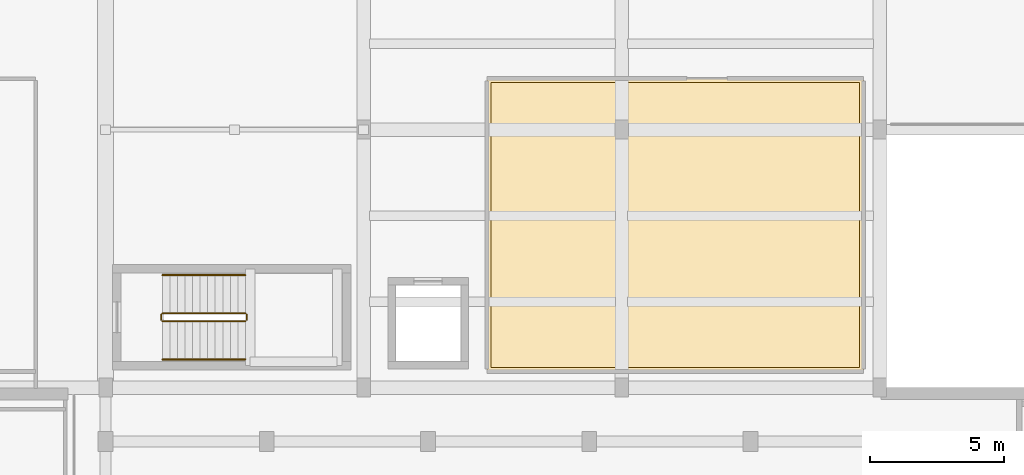
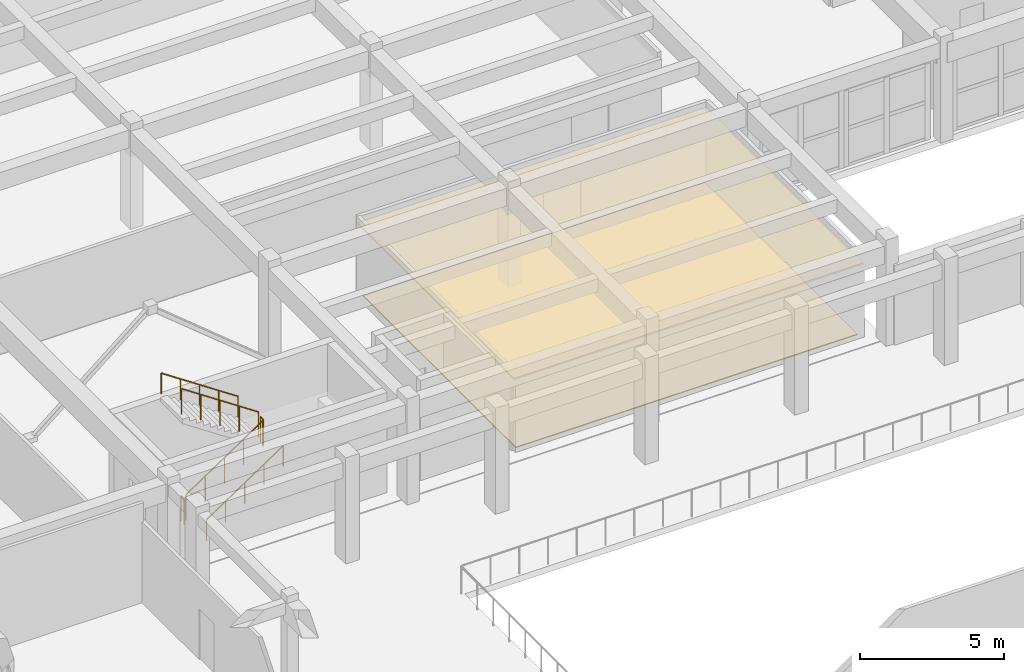
# One storey, part 80 of 92: 6 railings, 2 coverings.
"""IFC4 building model written with IfcOpenShell, lengths in metres."""

from ifc_helpers import new_model, si_unit, direction, frame, origin, origin_2d, place, context, subcontext, project, spatial, polyline, circle, outline, extrude, material, layer, layer_set, type_object, element, save


model = new_model("IFC4")

# Units and contexts
model_context = context("Model", 3, precision=1e-05, world=origin(), true_north=direction((0.0, 1.0)))
body_context = subcontext(model_context, "Body", "Model", "MODEL_VIEW")
ifc_project = project(units=[si_unit("LENGTHUNIT", "METRE"), si_unit("AREAUNIT", "SQUARE_METRE"), si_unit("VOLUMEUNIT", "CUBIC_METRE"), si_unit("PLANEANGLEUNIT", "RADIAN"), si_unit("MASSUNIT", "GRAM", prefix="KILO")], contexts=[model_context])

# Site, building, storey
site_placement = place(None, origin())
site = spatial("IfcSite", under=ifc_project, at=site_placement, CompositionType="ELEMENT")
building_placement = place(site_placement, origin())
building = spatial("IfcBuilding", under=site, at=building_placement, Name="Tarnavel Promenade Courthouse", CompositionType="ELEMENT")
storey_placement = place(building_placement, frame((0.0, 0.0, 5.39990234375)))
storey = spatial("IfcBuildingStorey", under=building, at=storey_placement, Name="L02", CompositionType="ELEMENT", Elevation=5.39990234375)

# Railings
ifc_material_1 = material(Name="Brushed Bronze Tubular Stair Handrail")
railing_type_1 = type_object("IfcRailingType", Name="Brushed Bronze Tubular Stair Handrail (RL-HND-0900)", PredefinedType="HANDRAIL", material=ifc_material_1)
railing_1_placement = place(storey_placement, frame((11.719970703125, 38.25, 0.1875)))
element("IfcRailing", 1, at=railing_1_placement, inside=storey, type_object=railing_type_1, Name="L02 ST-05 stair handrail 1", PredefinedType="HANDRAIL", context=body_context, shape_type="SweptSolid", body=[
    extrude(circle(Radius=0.02392578125, at=origin_2d()), frame((0.0, 0.0, 0.8759765625), z_axis=(0.830913701846, 0.0, 0.55640131208), x_axis=(0.0, 1.0, 0.0)), (0.0, 0.0, 1.0), 3.706787109375),
    extrude(circle(Radius=0.02099609375, at=origin_2d()), origin(), (0.0, 0.0, 1.0), 0.851806640625),
    extrude(circle(Radius=0.02099609375, at=origin_2d()), frame((0.77001953125, 0.0, 0.515625)), (0.0, 0.0, 1.0), 0.851806640625),
    extrude(circle(Radius=0.02099609375, at=origin_2d()), frame((1.5400390625, 0.0, 1.03125)), (0.0, 0.0, 1.0), 0.851806640625),
    extrude(circle(Radius=0.02099609375, at=origin_2d()), frame((2.31005859375, 0.0, 1.546875)), (0.0, 0.0, 1.0), 0.851806640625),
    extrude(circle(Radius=0.02099609375, at=origin_2d()), frame((3.080078125, 0.0, 2.0625)), (0.0, 0.0, 1.0), 0.851806640625),
])
railing_2_placement = place(storey_placement, frame((14.800048828125, 41.389892578125, 2.4375)))
element("IfcRailing", 2, at=railing_2_placement, inside=storey, type_object=railing_type_1, Name="L02 ST-05 stair handrail 2", PredefinedType="HANDRAIL", context=body_context, shape_type="SweptSolid", body=[
    extrude(circle(Radius=0.02392578125, at=origin_2d()), frame((0.0, 0.0, 0.8759765625), z_axis=(-0.830913701846, 0.0, 0.55640131208), x_axis=(0.0, -1.0, 0.0)), (0.0, 0.0, 1.0), 3.706787109375),
    extrude(circle(Radius=0.02099609375, at=origin_2d()), origin(), (0.0, 0.0, 1.0), 0.851806640625),
    extrude(circle(Radius=0.02099609375, at=origin_2d()), frame((-0.77001953125, 0.0, 0.515625)), (0.0, 0.0, 1.0), 0.851806640625),
    extrude(circle(Radius=0.02099609375, at=origin_2d()), frame((-1.5400390625, 0.0, 1.03125)), (0.0, 0.0, 1.0), 0.851806640625),
    extrude(circle(Radius=0.02099609375, at=origin_2d()), frame((-2.31005859375, 0.0, 1.546875)), (0.0, 0.0, 1.0), 0.851806640625),
    extrude(circle(Radius=0.02099609375, at=origin_2d()), frame((-3.080078125, 0.0, 2.0625)), (0.0, 0.0, 1.0), 0.851806640625),
])

# Covering
ifc_material_2 = material(Name="Honed Khoriatis Marble and Terrazzo Civic Flooring", Category="masonry")
ifc_layer_1 = layer(ifc_material_2, 0.0400390625)
ifc_layer_set_1 = layer_set([ifc_layer_1], Name="Honed Khoriatis Marble and Terrazzo Civic Flooring")
covering_type_1 = type_object("IfcCoveringType", Name="Honed Khoriatis Marble and Terrazzo Civic Flooring (COV-FLR-TRZ-40)", PredefinedType="FLOORING", material=ifc_layer_set_1)
covering_1_placement = place(storey_placement, origin())
element("IfcCovering", 3, at=covering_1_placement, inside=storey, type_object=covering_type_1, Name="L02 Law Library Book Stacks Statutes Collection Architectural Flooring 0013", PredefinedType="FLOORING", context=body_context, shape_type="SweptSolid", body=[
    extrude(outline(polyline([(23.949951171875, 37.949951171875), (37.64990234375, 37.949951171875), (37.64990234375, 48.550048828125), (23.949951171875, 48.550048828125), (23.949951171875, 37.949951171875)])), origin(), (0.0, 0.0, 1.0), 0.0400390625),
])

# Railings
ifc_material_3 = material(Name="Painted Architectural Steel Core Stair Guardrail", Category="steel")
railing_type_2 = type_object("IfcRailingType", Name="Painted Architectural Steel Core Stair Guardrail (RL-GRD-1100)", PredefinedType="GUARDRAIL", material=ifc_material_3)
railing_3_placement = place(storey_placement, frame((11.719970703125, 39.669921875, 0.1875)))
element("IfcRailing", 4, at=railing_3_placement, inside=storey, type_object=railing_type_2, Name="L02 ST-05 stair guard 1", PredefinedType="GUARDRAIL", context=body_context, shape_type="SweptSolid", body=[
    extrude(circle(Radius=0.02392578125, at=origin_2d()), frame((0.0, 0.0, 1.076171875), z_axis=(0.830913701846, 0.0, 0.55640131208), x_axis=(0.0, 1.0, 0.0)), (0.0, 0.0, 1.0), 3.706787109375),
    extrude(circle(Radius=0.02099609375, at=origin_2d()), origin(), (0.0, 0.0, 1.0), 1.052001953125),
    extrude(circle(Radius=0.02099609375, at=origin_2d()), frame((0.77001953125, 0.0, 0.515625)), (0.0, 0.0, 1.0), 1.052001953125),
    extrude(circle(Radius=0.02099609375, at=origin_2d()), frame((1.5400390625, 0.0, 1.03125)), (0.0, 0.0, 1.0), 1.052001953125),
    extrude(circle(Radius=0.02099609375, at=origin_2d()), frame((2.31005859375, 0.0, 1.546875)), (0.0, 0.0, 1.0), 1.052001953125),
    extrude(circle(Radius=0.02099609375, at=origin_2d()), frame((3.080078125, 0.0, 2.0625)), (0.0, 0.0, 1.0), 1.052001953125),
])
railing_4_placement = place(storey_placement, frame((14.85009765625, 39.719970703125, 2.25)))
element("IfcRailing", 5, at=railing_4_placement, inside=storey, type_object=railing_type_2, Name="L02 ST-05 stair guard 2", PredefinedType="GUARDRAIL", context=body_context, shape_type="SweptSolid", body=[
    extrude(circle(Radius=0.02392578125, at=origin_2d()), frame((0.0, 0.0, 1.076171875), z_axis=(0.0, 1.0, 0.0), x_axis=(-1.0, 0.0, 0.0)), (0.0, 0.0, 1.0), 0.199951171875),
    extrude(circle(Radius=0.02099609375, at=origin_2d()), origin(), (0.0, 0.0, 1.0), 1.052001953125),
    extrude(circle(Radius=0.02099609375, at=origin_2d()), frame((0.0, 0.199951171875, 0.0)), (0.0, 0.0, 1.0), 1.052001953125),
])
railing_5_placement = place(storey_placement, frame((14.800048828125, 39.969970703125, 2.4375)))
element("IfcRailing", 6, at=railing_5_placement, inside=storey, type_object=railing_type_2, Name="L02 ST-05 stair guard 3", PredefinedType="GUARDRAIL", context=body_context, shape_type="SweptSolid", body=[
    extrude(circle(Radius=0.02392578125, at=origin_2d()), frame((0.0, 0.0, 1.076171875), z_axis=(-0.830913701846, 0.0, 0.55640131208), x_axis=(0.0, -1.0, 0.0)), (0.0, 0.0, 1.0), 3.706787109375),
    extrude(circle(Radius=0.02099609375, at=origin_2d()), origin(), (0.0, 0.0, 1.0), 1.052001953125),
    extrude(circle(Radius=0.02099609375, at=origin_2d()), frame((-0.77001953125, 0.0, 0.515625)), (0.0, 0.0, 1.0), 1.052001953125),
    extrude(circle(Radius=0.02099609375, at=origin_2d()), frame((-1.5400390625, 0.0, 1.03125)), (0.0, 0.0, 1.0), 1.052001953125),
    extrude(circle(Radius=0.02099609375, at=origin_2d()), frame((-2.31005859375, 0.0, 1.546875)), (0.0, 0.0, 1.0), 1.052001953125),
    extrude(circle(Radius=0.02099609375, at=origin_2d()), frame((-3.080078125, 0.0, 2.0625)), (0.0, 0.0, 1.0), 1.052001953125),
])
railing_6_placement = place(storey_placement, frame((11.669921875, 39.719970703125, 0.0)))
element("IfcRailing", 7, at=railing_6_placement, inside=storey, type_object=railing_type_2, Name="L02 ST-05 stair guard 4", PredefinedType="GUARDRAIL", context=body_context, shape_type="SweptSolid", body=[
    extrude(circle(Radius=0.02392578125, at=origin_2d()), frame((0.0, 0.0, 1.076171875), z_axis=(0.0, 1.0, 0.0), x_axis=(-1.0, 0.0, 0.0)), (0.0, 0.0, 1.0), 0.199951171875),
    extrude(circle(Radius=0.02099609375, at=origin_2d()), origin(), (0.0, 0.0, 1.0), 1.052001953125),
    extrude(circle(Radius=0.02099609375, at=origin_2d()), frame((0.0, 0.199951171875, 0.0)), (0.0, 0.0, 1.0), 1.052001953125),
])

# Covering
ifc_material_4 = material(Name="Slatted Acoustic White Oak Baffle Ceiling")
ifc_layer_2 = layer(ifc_material_4, 0.06494140625)
ifc_layer_set_2 = layer_set([ifc_layer_2], Name="Slatted Acoustic White Oak Baffle Ceiling")
covering_type_2 = type_object("IfcCoveringType", Name="Slatted Acoustic White Oak Baffle Ceiling (COV-CLG-OAK-65)", PredefinedType="CEILING", material=ifc_layer_set_2)
covering_2_placement = place(storey_placement, frame((0.0, 0.0, 3.03515625)))
element("IfcCovering", 8, at=covering_2_placement, inside=storey, type_object=covering_type_2, Name="L02 Law Library Book Stacks Statutes Collection Acoustic Ceiling 0013", PredefinedType="CEILING", context=body_context, shape_type="SweptSolid", body=[
    extrude(outline(polyline([(23.800048828125, 37.800048828125), (37.800048828125, 37.800048828125), (37.800048828125, 48.699951171875), (23.800048828125, 48.699951171875), (23.800048828125, 37.800048828125)])), origin(), (0.0, 0.0, 1.0), 0.06494140625),
])

save(model, "model.ifc")
